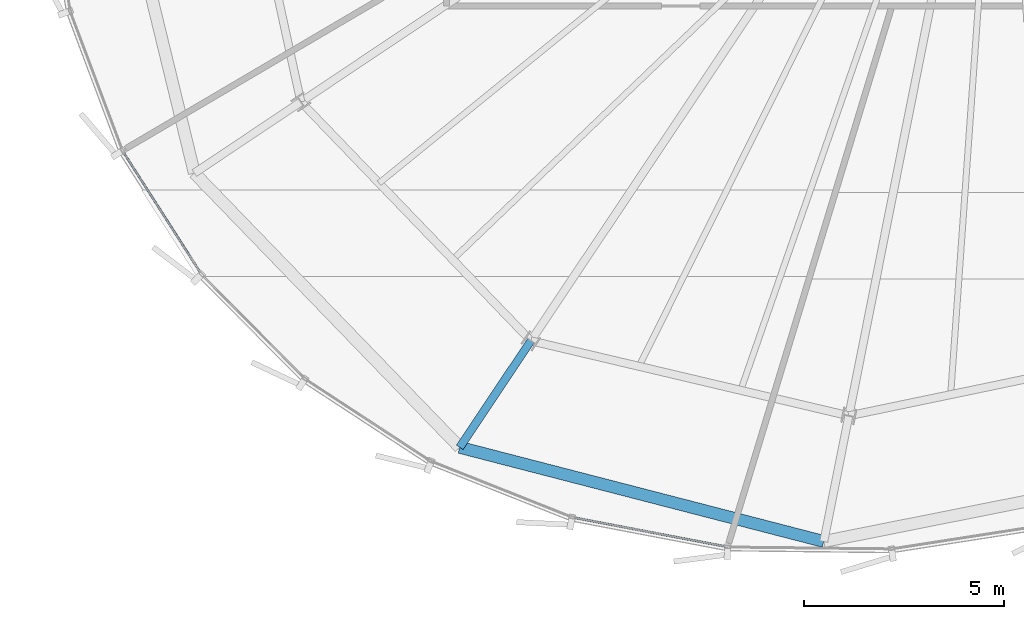
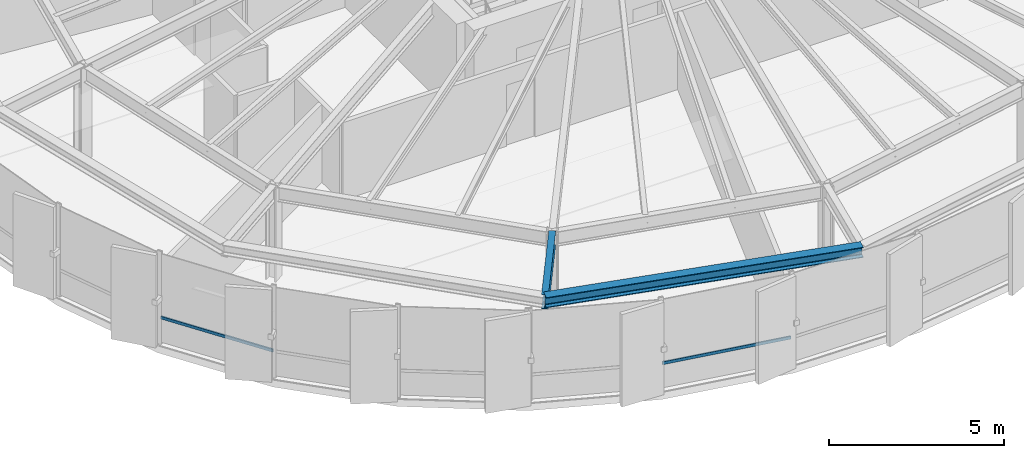
# One storey, part 3 of 34: 2 beams, 2 members, 2 elements without a shape of their own.
"""IFC4 building model written with IfcOpenShell, lengths in metres."""

from ifc_helpers import new_model, si_unit, direction, frame, origin, origin_2d, place, context, subcontext, project, spatial, hollow_rectangle, i_section, extrude, source, transform, mapped, material, layer, layer_set, material_profile, profile_set, type_object, element, aggregate, save


model = new_model("IFC4")

# Units and contexts
model_context = context("Model", 3, precision=1e-05, world=origin(), true_north=direction((0.0, 1.0)))
body_context = subcontext(model_context, "Body", "Model", "MODEL_VIEW")
ifc_project = project(units=[si_unit("LENGTHUNIT", "METRE"), si_unit("AREAUNIT", "SQUARE_METRE"), si_unit("VOLUMEUNIT", "CUBIC_METRE"), si_unit("PLANEANGLEUNIT", "RADIAN"), si_unit("MASSUNIT", "GRAM", prefix="KILO"), si_unit("THERMODYNAMICTEMPERATUREUNIT", "KELVIN")], contexts=[model_context])

# Site, building, storey
site_placement = place(None, origin())
site = spatial("IfcSite", under=ifc_project, at=site_placement, CompositionType="ELEMENT")
building_placement = place(site_placement, origin())
building = spatial("IfcBuilding", under=site, at=building_placement, Name="Kethvar Cultural Tower", CompositionType="ELEMENT")
storey_placement = place(building_placement, frame((0.0, 0.0, 190.39990234375)))
storey = spatial("IfcBuildingStorey", under=building, at=storey_placement, Name="L49", CompositionType="ELEMENT", Elevation=190.39990234375)

# Beams
ifc_material_1 = material(Name="Steel S355J2", Category="steel")
ifc_material_profile_1 = material_profile(ifc_material_1, i_section(OverallWidth=0.199951171875, OverallDepth=0.5, WebThickness=0.01025390625, FlangeThickness=0.01611328125, FilletRadius=0.02099609375, at=origin_2d()), Name="Steel S355J2 — IPE500")
ifc_profile_set_1 = profile_set([ifc_material_profile_1], Name="Steel S355J2 — IPE500")
beam_type_1 = type_object("IfcBeamType", Name="BM-IPE500", PredefinedType="BEAM", material=ifc_profile_set_1)
shared_shape_1 = source(origin(), body_context, "Body", "SweptSolid", [
    extrude(i_section(OverallWidth=0.199951171875, OverallDepth=0.5, WebThickness=0.01025390625, FlangeThickness=0.01611328125, FilletRadius=0.02099609375, at=origin_2d()), origin(), (0.0, 0.0, 1.0), 3.199951171875),
])
beam_1_placement = place(storey_placement, frame((34.962646484375, 10.084228515625, 3.008056640625), z_axis=(-0.555580212716, -0.831462943996, 0.0), x_axis=(0.831462943996, -0.555580212716, 0.0)))
element("IfcBeam", 1, at=beam_1_placement, inside=storey, type_object=beam_type_1, Name="L49 Perimeter Cantilever Beam RC-11", PredefinedType="BEAM", context=body_context, shape_type="MappedRepresentation", body=[
    mapped(shared_shape_1, transform((0.0, 0.0, 0.0), scale=1.0)),
])
ifc_material_profile_2 = material_profile(ifc_material_1, i_section(OverallWidth=0.300048828125, OverallDepth=0.360107421875, WebThickness=0.012451171875, FlangeThickness=0.0224609375, FilletRadius=0.027099609375, at=origin_2d()), Name="Steel S355J2 — HEB360")
ifc_profile_set_2 = profile_set([ifc_material_profile_2], Name="Steel S355J2 — HEB360")
beam_type_2 = type_object("IfcBeamType", Name="BM-SP360", PredefinedType="SPANDREL", material=ifc_profile_set_2)
shared_shape_2 = source(origin(), body_context, "Body", "SweptSolid", [
    extrude(i_section(OverallWidth=0.300048828125, OverallDepth=0.360107421875, WebThickness=0.012451171875, FlangeThickness=0.0224609375, FilletRadius=0.027099609375, at=origin_2d()), origin(), (0.0, 0.0, 1.0), 9.3935546875),
])
beam_2_placement = place(storey_placement, frame((33.184814453125, 7.423583984375, 3.078125), z_axis=(0.968171347754, -0.250288316525, 0.0), x_axis=(0.250288316525, 0.968171347754, 0.0)))
element("IfcBeam", 2, at=beam_2_placement, inside=storey, type_object=beam_type_2, Name="L49 Perimeter Spandrel Beam SP-11", PredefinedType="SPANDREL", context=body_context, shape_type="MappedRepresentation", body=[
    mapped(shared_shape_2, transform((0.0, 0.0, 0.0), scale=1.0)),
])

# Curtain wall, member
ifc_material_2 = material(Name="Aluminium 6063-T6", Category="aluminium")
ifc_layer = layer(ifc_material_2, 0.179931640625, Name="Aluminium 6063-T6", Category="aluminium")
ifc_layer_set = layer_set([ifc_layer], Name="Aluminium 6063-T6 (180 mm)")
curtain_wall_type = type_object("IfcCurtainWallType", Name="CW-SYS-04-Z34", PredefinedType="NOTDEFINED", material=ifc_layer_set)
curtain_wall_1_placement = place(storey_placement, origin())
curtain_wall_1 = element("IfcCurtainWall", 3, at=curtain_wall_1_placement, inside=storey, type_object=curtain_wall_type, Name="L49 Curtain Wall Run 04", PredefinedType="NOTDEFINED")
ifc_material_profile_3 = material_profile(ifc_material_2, hollow_rectangle(XDim=0.050048828125, YDim=0.10009765625, WallThickness=0.00390625, at=origin_2d()), Name="Aluminium 6063-T6 — RHS100x50x4")
ifc_profile_set_3 = profile_set([ifc_material_profile_3], Name="Aluminium 6063-T6 — RHS100x50x4")
member_type = type_object("IfcMemberType", Name="CW-SYS-04-Z34-TRN", PredefinedType="USERDEFINED", material=ifc_profile_set_3)
shared_shape_3 = source(origin(), body_context, "Body", "SweptSolid", [
    extrude(hollow_rectangle(XDim=0.050048828125, YDim=0.10009765625, WallThickness=0.00390625, at=origin_2d()), origin(), (0.0, 0.0, 1.0), 3.6083984375),
])
member_1_placement = place(storey_placement, frame((24.78271484375, 14.79833984375, 0.9501953125), z_axis=(0.538909690838, -0.842363546885, 0.0), x_axis=(0.842363546885, 0.538909690838, 0.0)))
member_1 = element("IfcMember", 4, at=member_1_placement, type_object=member_type, Name="CW-L49-R04 Transom 4", ObjectType="TRANSOM", PredefinedType="USERDEFINED", context=body_context, shape_type="MappedRepresentation", body=[
    mapped(shared_shape_3, transform((0.0, 0.0, 0.0), scale=1.0)),
])
aggregate(curtain_wall_1, [member_1])

curtain_wall_2_placement = place(storey_placement, origin())
curtain_wall_2 = element("IfcCurtainWall", 5, at=curtain_wall_2_placement, inside=storey, type_object=curtain_wall_type, Name="L49 Curtain Wall Run 05", PredefinedType="NOTDEFINED")
shared_shape_4 = source(origin(), body_context, "Body", "SweptSolid", [
    extrude(hollow_rectangle(XDim=0.050048828125, YDim=0.10009765625, WallThickness=0.00390625, at=origin_2d()), origin(), (0.0, 0.0, 1.0), 3.88671875),
])
member_2_placement = place(storey_placement, frame((36.03369140625, 5.6689453125, 0.9501953125), z_axis=(0.982300059464, -0.187314156371, 0.0), x_axis=(0.187314156371, 0.982300059464, 0.0)))
member_2 = element("IfcMember", 6, at=member_2_placement, type_object=member_type, Name="CW-L49-R05 Transom 2", ObjectType="TRANSOM", PredefinedType="USERDEFINED", context=body_context, shape_type="MappedRepresentation", body=[
    mapped(shared_shape_4, transform((0.0, 0.0, 0.0), scale=1.0)),
])
aggregate(curtain_wall_2, [member_2])

save(model, "model.ifc")
